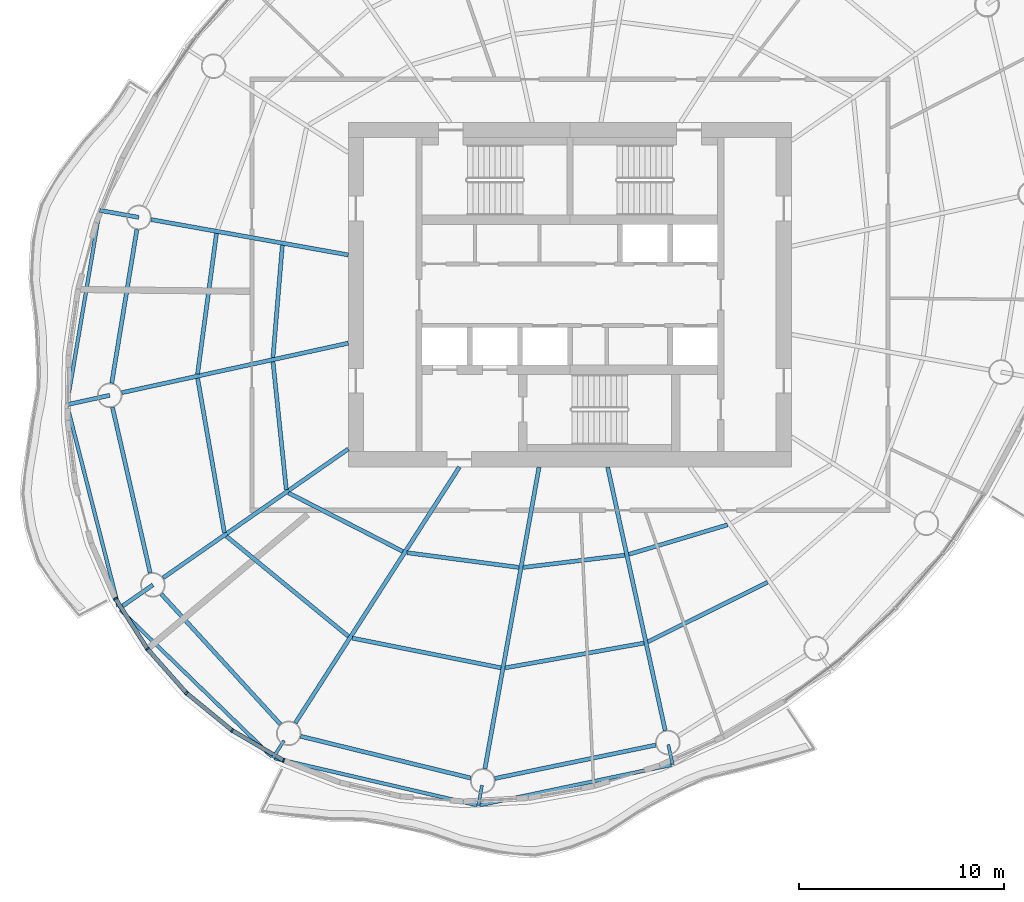
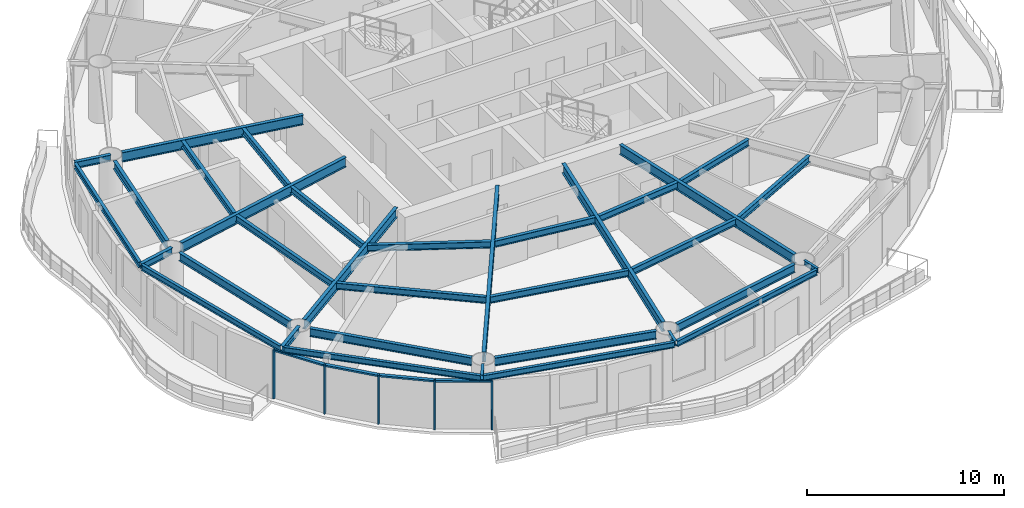
# One storey, part 2 of 14: 34 beams, 9 members, 4 elements without a shape of their own.
"""IFC4 building model written with IfcOpenShell, lengths in metres."""

from ifc_helpers import new_model, si_unit, direction, frame, origin, origin_2d, place, context, subcontext, project, spatial, rectangle, i_section, extrude, material, material_profile, profile_set, type_object, element, aggregate, save


model = new_model("IFC4")

# Units and contexts
model_context = context("Model", 3, precision=1e-05, world=origin(), true_north=direction((0.0, 1.0)))
body_context = subcontext(model_context, "Body", "Model", "MODEL_VIEW")
ifc_project = project(units=[si_unit("LENGTHUNIT", "METRE"), si_unit("AREAUNIT", "SQUARE_METRE"), si_unit("VOLUMEUNIT", "CUBIC_METRE"), si_unit("PLANEANGLEUNIT", "RADIAN"), si_unit("MASSUNIT", "GRAM", prefix="KILO")], contexts=[model_context])

# Site, building, storey
site_placement = place(None, origin())
site = spatial("IfcSite", under=ifc_project, at=site_placement, CompositionType="ELEMENT")
building_placement = place(site_placement, origin())
building = spatial("IfcBuilding", under=site, at=building_placement, Name="Vermilion Reach Broadcast Tower", CompositionType="ELEMENT")
storey_placement = place(building_placement, frame((0.0, 0.0, 217.300048828125)))
storey = spatial("IfcBuildingStorey", under=building, at=storey_placement, Name="L53", CompositionType="ELEMENT", Elevation=217.300048828125)

# Beams
ifc_material_1 = material(Name="Steel S355J2", Category="steel")
ifc_material_profile_1 = material_profile(ifc_material_1, i_section(OverallWidth=0.175048828125, OverallDepth=0.35009765625, WebThickness=0.007080078125, FlangeThickness=0.010986328125, at=origin_2d()), Name="S355J2 HN 350x175x7x11")
ifc_profile_set_1 = profile_set([ifc_material_profile_1], Name="Steel S355J2")
beam_type_1 = type_object("IfcBeamType", Name="EB4 HN 350x175x7x11", PredefinedType="BEAM", material=ifc_profile_set_1)
beam_1_placement = place(storey_placement, frame((-28.925048828125, 4.010986328125, 3.27490234375), z_axis=(-0.166485083639, -0.98604397312, 0.0), x_axis=(0.98604397312, -0.166485083639, 0.0)))
element("IfcBeam", 1, at=beam_1_placement, inside=storey, type_object=beam_type_1, Name="Edge beam EB4-06", PredefinedType="BEAM", context=body_context, shape_type="SweptSolid", body=[
    extrude(i_section(OverallWidth=0.175048828125, OverallDepth=0.35009765625, WebThickness=0.007080078125, FlangeThickness=0.010986328125, at=origin_2d()), origin(), (0.0, 0.0, 1.0), 9.392578125),
])
beam_2_placement = place(storey_placement, frame((-30.48193359375, -5.45361328125, 3.27490234375), z_axis=(0.247331773044, -0.968930851012, 0.0), x_axis=(0.968930851012, 0.247331773044, 0.0)))
element("IfcBeam", 2, at=beam_2_placement, inside=storey, type_object=beam_type_1, Name="Edge beam EB4-07", PredefinedType="BEAM", context=body_context, shape_type="SweptSolid", body=[
    extrude(i_section(OverallWidth=0.175048828125, OverallDepth=0.35009765625, WebThickness=0.007080078125, FlangeThickness=0.010986328125, at=origin_2d()), origin(), (0.0, 0.0, 1.0), 10.042724609375),
])
beam_3_placement = place(storey_placement, frame((-27.8984375, -15.358642578125, 3.27490234375), z_axis=(0.717860801863, -0.696186662576, 0.0), x_axis=(0.696186662576, 0.717860801863, 0.0)))
element("IfcBeam", 3, at=beam_3_placement, inside=storey, type_object=beam_type_1, Name="Edge beam EB4-08", PredefinedType="BEAM", context=body_context, shape_type="SweptSolid", body=[
    extrude(i_section(OverallWidth=0.175048828125, OverallDepth=0.35009765625, WebThickness=0.007080078125, FlangeThickness=0.010986328125, at=origin_2d()), origin(), (0.0, 0.0, 1.0), 10.27294921875),
])
beam_4_placement = place(storey_placement, frame((-20.391357421875, -22.581787109375, 3.27490234375), z_axis=(0.974106502606, -0.226089631743, 0.0), x_axis=(0.226089631743, 0.974106502606, 0.0)))
element("IfcBeam", 4, at=beam_4_placement, inside=storey, type_object=beam_type_1, Name="Edge beam EB4-09", PredefinedType="BEAM", context=body_context, shape_type="SweptSolid", body=[
    extrude(i_section(OverallWidth=0.175048828125, OverallDepth=0.35009765625, WebThickness=0.007080078125, FlangeThickness=0.010986328125, at=origin_2d()), origin(), (0.0, 0.0, 1.0), 10.115966796875),
])
beam_5_placement = place(storey_placement, frame((-10.385009765625, -24.869140625, 3.27490234375), z_axis=(0.978630795102, 0.205625307, 0.0), x_axis=(-0.205625307, 0.978630795102, 0.0)))
element("IfcBeam", 5, at=beam_5_placement, inside=storey, type_object=beam_type_1, Name="Edge beam EB4-10", PredefinedType="BEAM", context=body_context, shape_type="SweptSolid", body=[
    extrude(i_section(OverallWidth=0.175048828125, OverallDepth=0.35009765625, WebThickness=0.007080078125, FlangeThickness=0.010986328125, at=origin_2d()), origin(), (0.0, 0.0, 1.0), 9.519775390625),
])
ifc_material_2 = material(Name="Steel S355J2", Category="steel")
ifc_material_profile_2 = material_profile(ifc_material_2, i_section(OverallWidth=0.199951171875, OverallDepth=0.60009765625, WebThickness=0.010986328125, FlangeThickness=0.01708984375, at=origin_2d()), Name="S355J2 HN 600x200x11x17")
ifc_profile_set_2 = profile_set([ifc_material_profile_2], Name="Steel S355J2")
beam_type_2 = type_object("IfcBeamType", Name="G4 HN 600x200x11x17", PredefinedType="BEAM", material=ifc_profile_set_2)
beam_6_placement = place(storey_placement, frame((-16.800048828125, 1.9375, 3.14990234375), z_axis=(-0.984291153273, 0.176552897422, 0.0), x_axis=(-0.176552897422, -0.984291153273, 0.0)))
element("IfcBeam", 6, at=beam_6_placement, inside=storey, type_object=beam_type_2, Name="Girder G4-06", PredefinedType="BEAM", context=body_context, shape_type="SweptSolid", body=[
    extrude(i_section(OverallWidth=0.199951171875, OverallDepth=0.60009765625, WebThickness=0.010986328125, FlangeThickness=0.01708984375, at=origin_2d()), origin(), (0.0, 0.0, 1.0), 9.765380859375),
])
beam_7_placement = place(storey_placement, frame((-16.800048828125, -2.360595703125, 3.14990234375), z_axis=(-0.976930175286, -0.213558967537, 0.0), x_axis=(0.213558967537, -0.976930175286, 0.0)))
element("IfcBeam", 7, at=beam_7_placement, inside=storey, type_object=beam_type_2, Name="Girder G4-07", PredefinedType="BEAM", context=body_context, shape_type="SweptSolid", body=[
    extrude(i_section(OverallWidth=0.199951171875, OverallDepth=0.60009765625, WebThickness=0.010986328125, FlangeThickness=0.01708984375, at=origin_2d()), origin(), (0.0, 0.0, 1.0), 11.29833984375),
])
beam_8_placement = place(storey_placement, frame((-16.800048828125, -7.5146484375, 3.14990234375), z_axis=(-0.820848627818, -0.571145804684, 0.0), x_axis=(0.571145804684, -0.820848627818, 0.0)))
element("IfcBeam", 8, at=beam_8_placement, inside=storey, type_object=beam_type_2, Name="Girder G4-08", PredefinedType="BEAM", context=body_context, shape_type="SweptSolid", body=[
    extrude(i_section(OverallWidth=0.199951171875, OverallDepth=0.60009765625, WebThickness=0.010986328125, FlangeThickness=0.01708984375, at=origin_2d()), origin(), (0.0, 0.0, 1.0), 10.99560546875),
])
beam_9_placement = place(storey_placement, frame((-11.386474609375, -8.39990234375, 3.14990234375), z_axis=(-0.539796447586, -0.84179557802, 0.0), x_axis=(0.84179557802, -0.539796447586, 0.0)))
element("IfcBeam", 9, at=beam_9_placement, inside=storey, type_object=beam_type_2, Name="Girder G4-09", PredefinedType="BEAM", context=body_context, shape_type="SweptSolid", body=[
    extrude(i_section(OverallWidth=0.199951171875, OverallDepth=0.60009765625, WebThickness=0.010986328125, FlangeThickness=0.01708984375, at=origin_2d()), origin(), (0.0, 0.0, 1.0), 14.8076171875),
])
beam_10_placement = place(storey_placement, frame((-7.5068359375, -8.39990234375, 3.14990234375), z_axis=(-0.176574729047, -0.984287237072, 0.0), x_axis=(0.984287237072, -0.176574729047, 0.0)))
element("IfcBeam", 10, at=beam_10_placement, inside=storey, type_object=beam_type_2, Name="Girder G4-10", PredefinedType="BEAM", context=body_context, shape_type="SweptSolid", body=[
    extrude(i_section(OverallWidth=0.199951171875, OverallDepth=0.60009765625, WebThickness=0.010986328125, FlangeThickness=0.01708984375, at=origin_2d()), origin(), (0.0, 0.0, 1.0), 14.935302734375),
])
beam_11_placement = place(storey_placement, frame((-4.163818359375, -8.39990234375, 3.14990234375), z_axis=(0.213538346548, -0.976934682849, 0.0), x_axis=(0.976934682849, 0.213538346548, 0.0)))
element("IfcBeam", 11, at=beam_11_placement, inside=storey, type_object=beam_type_2, Name="Girder G4-11", PredefinedType="BEAM", context=body_context, shape_type="SweptSolid", body=[
    extrude(i_section(OverallWidth=0.199951171875, OverallDepth=0.60009765625, WebThickness=0.010986328125, FlangeThickness=0.01708984375, at=origin_2d()), origin(), (0.0, 0.0, 1.0), 13.135498046875),
])
ifc_material_3 = material(Name="Steel S355J2", Category="steel")
ifc_material_profile_3 = material_profile(ifc_material_3, i_section(OverallWidth=0.199951171875, OverallDepth=0.39990234375, WebThickness=0.008056640625, FlangeThickness=0.012939453125, at=origin_2d()), Name="S355J2 HN 400x200x8x13")
ifc_profile_set_3 = profile_set([ifc_material_profile_3], Name="Steel S355J2")
beam_type_3 = type_object("IfcBeamType", Name="GC4 HN 400x200x8x13", PredefinedType="BEAM", material=ifc_profile_set_3)
beam_12_placement = place(storey_placement, frame((-27.002685546875, 3.767578125, 3.25), z_axis=(-0.984272893528, 0.176654666133, 0.0), x_axis=(-0.176654666133, -0.984272893528, 0.0)))
element("IfcBeam", 12, at=beam_12_placement, inside=storey, type_object=beam_type_3, Name="Cantilever girder GC4-06", PredefinedType="BEAM", context=body_context, shape_type="SweptSolid", body=[
    extrude(i_section(OverallWidth=0.199951171875, OverallDepth=0.39990234375, WebThickness=0.008056640625, FlangeThickness=0.012939453125, at=origin_2d()), origin(), (0.0, 0.0, 1.0), 1.936279296875),
])
beam_13_placement = place(storey_placement, frame((-28.423828125, -4.9013671875, 3.25), z_axis=(-0.976927650781, -0.213570515614, 0.0), x_axis=(0.213570515614, -0.976927650781, 0.0)))
element("IfcBeam", 13, at=beam_13_placement, inside=storey, type_object=beam_type_3, Name="Cantilever girder GC4-07", PredefinedType="BEAM", context=body_context, shape_type="SweptSolid", body=[
    extrude(i_section(OverallWidth=0.199951171875, OverallDepth=0.39990234375, WebThickness=0.008056640625, FlangeThickness=0.012939453125, at=origin_2d()), origin(), (0.0, 0.0, 1.0), 2.1318359375),
])
beam_14_placement = place(storey_placement, frame((-26.318115234375, -14.13720703125, 3.25), z_axis=(-0.820885438798, -0.571092896444, 0.0), x_axis=(0.571092896444, -0.820885438798, 0.0)))
element("IfcBeam", 14, at=beam_14_placement, inside=storey, type_object=beam_type_3, Name="Cantilever girder GC4-08", PredefinedType="BEAM", context=body_context, shape_type="SweptSolid", body=[
    extrude(i_section(OverallWidth=0.199951171875, OverallDepth=0.39990234375, WebThickness=0.008056640625, FlangeThickness=0.012939453125, at=origin_2d()), origin(), (0.0, 0.0, 1.0), 2.014404296875),
])
ifc_material_4 = material(Name="Steel S355J2", Category="steel")
ifc_material_profile_4 = material_profile(ifc_material_4, i_section(OverallWidth=0.14990234375, OverallDepth=0.300048828125, WebThickness=0.006591796875, FlangeThickness=0.009033203125, at=origin_2d()), Name="S355J2 HN 300x150x6.5x9")
ifc_profile_set_4 = profile_set([ifc_material_profile_4], Name="Steel S355J2")
beam_type_4 = type_object("IfcBeamType", Name="GS4 HN 300x150x6.5x9", PredefinedType="BEAM", material=ifc_profile_set_4)
beam_15_placement = place(storey_placement, frame((-19.92919921875, -21.721923828125, 3.300048828125), z_axis=(-0.539794777091, -0.841796649213, 0.0), x_axis=(0.841796649213, -0.539794777091, 0.0)))
element("IfcBeam", 15, at=beam_15_placement, inside=storey, type_object=beam_type_4, Name="Cantilever stub GS4-09", PredefinedType="BEAM", context=body_context, shape_type="SweptSolid", body=[
    extrude(i_section(OverallWidth=0.14990234375, OverallDepth=0.300048828125, WebThickness=0.006591796875, FlangeThickness=0.009033203125, at=origin_2d()), origin(), (0.0, 0.0, 1.0), 1.0),
])
beam_16_placement = place(storey_placement, frame((-10.28759765625, -23.901611328125, 3.300048828125), z_axis=(-0.176542748677, -0.984292973606, 0.0), x_axis=(0.984292973606, -0.176542748677, 0.0)))
element("IfcBeam", 16, at=beam_16_placement, inside=storey, type_object=beam_type_4, Name="Cantilever stub GS4-10", PredefinedType="BEAM", context=body_context, shape_type="SweptSolid", body=[
    extrude(i_section(OverallWidth=0.14990234375, OverallDepth=0.300048828125, WebThickness=0.006591796875, FlangeThickness=0.009033203125, at=origin_2d()), origin(), (0.0, 0.0, 1.0), 0.999755859375),
])
beam_17_placement = place(storey_placement, frame((-1.208740234375, -21.91943359375, 3.300048828125), z_axis=(0.213645906146, -0.976911166272, 0.0), x_axis=(0.976911166272, 0.213645906146, 0.0)))
element("IfcBeam", 17, at=beam_17_placement, inside=storey, type_object=beam_type_4, Name="Cantilever stub GS4-11", PredefinedType="BEAM", context=body_context, shape_type="SweptSolid", body=[
    extrude(i_section(OverallWidth=0.14990234375, OverallDepth=0.300048828125, WebThickness=0.006591796875, FlangeThickness=0.009033203125, at=origin_2d()), origin(), (0.0, 0.0, 1.0), 1.0),
])
ifc_material_5 = material(Name="Steel S355J2", Category="steel")
ifc_material_profile_5 = material_profile(ifc_material_5, i_section(OverallWidth=0.199951171875, OverallDepth=0.5, WebThickness=0.010009765625, FlangeThickness=0.01611328125, at=origin_2d()), Name="S355J2 HN 500x200x10x16")
ifc_profile_set_5 = profile_set([ifc_material_profile_5], Name="Steel S355J2")
beam_type_5 = type_object("IfcBeamType", Name="RB4 HN 500x200x10x16", PredefinedType="BEAM", material=ifc_profile_set_5)
beam_18_placement = place(storey_placement, frame((-27.099609375, 3.175537109375, 3.199951171875), z_axis=(-0.161778110263, -0.986827159659, 0.0), x_axis=(0.986827159659, -0.161778110263, 0.0)))
element("IfcBeam", 18, at=beam_18_placement, inside=storey, type_object=beam_type_5, Name="Ring beam RB4-06", PredefinedType="BEAM", context=body_context, shape_type="SweptSolid", body=[
    extrude(i_section(OverallWidth=0.199951171875, OverallDepth=0.5, WebThickness=0.010009765625, FlangeThickness=0.01611328125, at=origin_2d()), origin(), (0.0, 0.0, 1.0), 7.584716796875),
])
beam_19_placement = place(storey_placement, frame((-28.290283203125, -5.486572265625, 3.199951171875), z_axis=(0.222283068275, -0.974982172944, 0.0), x_axis=(0.974982172944, 0.222283068275, 0.0)))
element("IfcBeam", 19, at=beam_19_placement, inside=storey, type_object=beam_type_5, Name="Ring beam RB4-07", PredefinedType="BEAM", context=body_context, shape_type="SweptSolid", body=[
    extrude(i_section(OverallWidth=0.199951171875, OverallDepth=0.5, WebThickness=0.010009765625, FlangeThickness=0.01611328125, at=origin_2d()), origin(), (0.0, 0.0, 1.0), 8.272705078125),
])
beam_20_placement = place(storey_placement, frame((-25.9130859375, -14.580078125, 3.199951171875), z_axis=(0.674868141417, -0.737938338684, 0.0), x_axis=(0.737938338684, 0.674868141417, 0.0)))
element("IfcBeam", 20, at=beam_20_placement, inside=storey, type_object=beam_type_5, Name="Ring beam RB4-08", PredefinedType="BEAM", context=body_context, shape_type="SweptSolid", body=[
    extrude(i_section(OverallWidth=0.199951171875, OverallDepth=0.5, WebThickness=0.010009765625, FlangeThickness=0.01611328125, at=origin_2d()), origin(), (0.0, 0.0, 1.0), 8.601318359375),
])
beam_21_placement = place(storey_placement, frame((-19.120849609375, -21.51318359375, 3.199951171875), z_axis=(0.971158622271, -0.238434331398, 0.0), x_axis=(0.238434331398, 0.971158622271, 0.0)))
element("IfcBeam", 21, at=beam_21_placement, inside=storey, type_object=beam_type_5, Name="Ring beam RB4-09", PredefinedType="BEAM", context=body_context, shape_type="SweptSolid", body=[
    extrude(i_section(OverallWidth=0.199951171875, OverallDepth=0.5, WebThickness=0.010009765625, FlangeThickness=0.01611328125, at=origin_2d()), origin(), (0.0, 0.0, 1.0), 8.534423828125),
])
beam_22_placement = place(storey_placement, frame((-9.662353515625, -23.569091796875, 3.199951171875), z_axis=(0.97912342484, 0.203266620302, 0.0), x_axis=(-0.203266620302, 0.97912342484, 0.0)))
element("IfcBeam", 22, at=beam_22_placement, inside=storey, type_object=beam_type_5, Name="Ring beam RB4-10", PredefinedType="BEAM", context=body_context, shape_type="SweptSolid", body=[
    extrude(i_section(OverallWidth=0.199951171875, OverallDepth=0.5, WebThickness=0.010009765625, FlangeThickness=0.01611328125, at=origin_2d()), origin(), (0.0, 0.0, 1.0), 8.01123046875),
])
ifc_material_6 = material(Name="Steel S355J2", Category="steel")
ifc_material_profile_6 = material_profile(ifc_material_6, i_section(OverallWidth=0.199951171875, OverallDepth=0.39990234375, WebThickness=0.008056640625, FlangeThickness=0.012939453125, at=origin_2d()), Name="S355J2 HN 400x200x8x13")
ifc_profile_set_6 = profile_set([ifc_material_profile_6], Name="Steel S355J2")
beam_type_6 = type_object("IfcBeamType", Name="SB4 HN 400x200x8x13", PredefinedType="BEAM", material=ifc_profile_set_6)
beam_23_placement = place(storey_placement, frame((-20.012451171875, 2.412109375, 3.25), z_axis=(-0.08339866655, -0.996516262997, 0.0), x_axis=(0.996516262997, -0.08339866655, 0.0)))
element("IfcBeam", 23, at=beam_23_placement, inside=storey, type_object=beam_type_6, Name="Secondary beam SB4-06-1", PredefinedType="BEAM", context=body_context, shape_type="SweptSolid", body=[
    extrude(i_section(OverallWidth=0.199951171875, OverallDepth=0.39990234375, WebThickness=0.008056640625, FlangeThickness=0.012939453125, at=origin_2d()), origin(), (0.0, 0.0, 1.0), 5.49169921875),
])
beam_24_placement = place(storey_placement, frame((-23.221435546875, 2.98779296875, 3.25), z_axis=(-0.133486718782, -0.991050602093, 0.0), x_axis=(0.991050602093, -0.133486718782, 0.0)))
element("IfcBeam", 24, at=beam_24_placement, inside=storey, type_object=beam_type_6, Name="Secondary beam SB4-06-2", PredefinedType="BEAM", context=body_context, shape_type="SweptSolid", body=[
    extrude(i_section(OverallWidth=0.199951171875, OverallDepth=0.39990234375, WebThickness=0.008056640625, FlangeThickness=0.012939453125, at=origin_2d()), origin(), (0.0, 0.0, 1.0), 6.913330078125),
])
beam_25_placement = place(storey_placement, frame((-20.46875, -3.264892578125, 3.25), z_axis=(0.103532173355, -0.994626105167, 0.0), x_axis=(0.994626105167, 0.103532173355, 0.0)))
element("IfcBeam", 25, at=beam_25_placement, inside=storey, type_object=beam_type_6, Name="Secondary beam SB4-07-1", PredefinedType="BEAM", context=body_context, shape_type="SweptSolid", body=[
    extrude(i_section(OverallWidth=0.199951171875, OverallDepth=0.39990234375, WebThickness=0.008056640625, FlangeThickness=0.012939453125, at=origin_2d()), origin(), (0.0, 0.0, 1.0), 6.26318359375),
])
beam_26_placement = place(storey_placement, frame((-24.141357421875, -4.067626953125, 3.25), z_axis=(0.170926997669, -0.985283695931, 0.0), x_axis=(0.985283695931, 0.170926997669, 0.0)))
element("IfcBeam", 26, at=beam_26_placement, inside=storey, type_object=beam_type_6, Name="Secondary beam SB4-07-2", PredefinedType="BEAM", context=body_context, shape_type="SweptSolid", body=[
    extrude(i_section(OverallWidth=0.199951171875, OverallDepth=0.39990234375, WebThickness=0.008056640625, FlangeThickness=0.012939453125, at=origin_2d()), origin(), (0.0, 0.0, 1.0), 7.63720703125),
])
beam_27_placement = place(storey_placement, frame((-19.707763671875, -9.659423828125, 3.25), z_axis=(0.89015575218, -0.455656380249, 0.0), x_axis=(0.455656380249, 0.89015575218, 0.0)))
element("IfcBeam", 27, at=beam_27_placement, inside=storey, type_object=beam_type_6, Name="Secondary beam SB4-08-1", PredefinedType="BEAM", context=body_context, shape_type="SweptSolid", body=[
    extrude(i_section(OverallWidth=0.199951171875, OverallDepth=0.39990234375, WebThickness=0.008056640625, FlangeThickness=0.012939453125, at=origin_2d()), origin(), (0.0, 0.0, 1.0), 6.25439453125),
])
beam_28_placement = place(storey_placement, frame((-22.73681640625, -11.76708984375, 3.25), z_axis=(0.772952000494, -0.6344645025, 0.0), x_axis=(0.6344645025, 0.772952000494, 0.0)))
element("IfcBeam", 28, at=beam_28_placement, inside=storey, type_object=beam_type_6, Name="Secondary beam SB4-08-2", PredefinedType="BEAM", context=body_context, shape_type="SweptSolid", body=[
    extrude(i_section(OverallWidth=0.199951171875, OverallDepth=0.39990234375, WebThickness=0.008056640625, FlangeThickness=0.012939453125, at=origin_2d()), origin(), (0.0, 0.0, 1.0), 7.689697265625),
])
beam_29_placement = place(storey_placement, frame((-13.94140625, -12.5693359375, 3.25), z_axis=(0.991458070019, -0.130425823341, 0.0), x_axis=(0.130425823341, 0.991458070019, 0.0)))
element("IfcBeam", 29, at=beam_29_placement, inside=storey, type_object=beam_type_6, Name="Secondary beam SB4-09-1", PredefinedType="BEAM", context=body_context, shape_type="SweptSolid", body=[
    extrude(i_section(OverallWidth=0.199951171875, OverallDepth=0.39990234375, WebThickness=0.008056640625, FlangeThickness=0.012939453125, at=origin_2d()), origin(), (0.0, 0.0, 1.0), 5.50341796875),
])
beam_30_placement = place(storey_placement, frame((-16.60986328125, -16.73095703125, 3.25), z_axis=(0.9805717807, -0.196160604851, 0.0), x_axis=(0.196160604851, 0.9805717807, 0.0)))
element("IfcBeam", 30, at=beam_30_placement, inside=storey, type_object=beam_type_6, Name="Secondary beam SB4-09-2", PredefinedType="BEAM", context=body_context, shape_type="SweptSolid", body=[
    extrude(i_section(OverallWidth=0.199951171875, OverallDepth=0.39990234375, WebThickness=0.008056640625, FlangeThickness=0.012939453125, at=origin_2d()), origin(), (0.0, 0.0, 1.0), 7.390380859375),
])
beam_31_placement = place(storey_placement, frame((-8.281982421875, -13.28759765625, 3.25), z_axis=(0.99278788328, 0.119884189168, 0.0), x_axis=(-0.119884189168, 0.99278788328, 0.0)))
element("IfcBeam", 31, at=beam_31_placement, inside=storey, type_object=beam_type_6, Name="Secondary beam SB4-10-1", PredefinedType="BEAM", context=body_context, shape_type="SweptSolid", body=[
    extrude(i_section(OverallWidth=0.199951171875, OverallDepth=0.39990234375, WebThickness=0.008056640625, FlangeThickness=0.012939453125, at=origin_2d()), origin(), (0.0, 0.0, 1.0), 4.9892578125),
])
beam_32_placement = place(storey_placement, frame((-9.159912109375, -18.181640625, 3.25), z_axis=(0.984415281892, 0.175859468829, 0.0), x_axis=(-0.175859468829, 0.984415281892, 0.0)))
element("IfcBeam", 32, at=beam_32_placement, inside=storey, type_object=beam_type_6, Name="Secondary beam SB4-10-2", PredefinedType="BEAM", context=body_context, shape_type="SweptSolid", body=[
    extrude(i_section(OverallWidth=0.199951171875, OverallDepth=0.39990234375, WebThickness=0.008056640625, FlangeThickness=0.012939453125, at=origin_2d()), origin(), (0.0, 0.0, 1.0), 6.874755859375),
])
beam_33_placement = place(storey_placement, frame((-3.1328125, -12.64892578125, 3.25), z_axis=(0.958173460215, 0.28618808525, 0.0), x_axis=(-0.28618808525, 0.958173460215, 0.0)))
element("IfcBeam", 33, at=beam_33_placement, inside=storey, type_object=beam_type_6, Name="Secondary beam SB4-11-1", PredefinedType="BEAM", context=body_context, shape_type="SweptSolid", body=[
    extrude(i_section(OverallWidth=0.199951171875, OverallDepth=0.39990234375, WebThickness=0.008056640625, FlangeThickness=0.012939453125, at=origin_2d()), origin(), (0.0, 0.0, 1.0), 5.02197265625),
])
beam_34_placement = place(storey_placement, frame((-2.20166015625, -16.908935546875, 3.25), z_axis=(0.895183615542, 0.445697536974, 0.0), x_axis=(-0.445697536974, 0.895183615542, 0.0)))
element("IfcBeam", 34, at=beam_34_placement, inside=storey, type_object=beam_type_6, Name="Secondary beam SB4-11-2", PredefinedType="BEAM", context=body_context, shape_type="SweptSolid", body=[
    extrude(i_section(OverallWidth=0.199951171875, OverallDepth=0.39990234375, WebThickness=0.008056640625, FlangeThickness=0.012939453125, at=origin_2d()), origin(), (0.0, 0.0, 1.0), 6.508544921875),
])

# Curtain wall, member
ifc_material_7 = material(Name="Low-e laminated clear glass in aluminium frame", Category="aluminium")
curtain_wall_type = type_object("IfcCurtainWallType", Name="Slot curtain wall", PredefinedType="NOTDEFINED", material=ifc_material_7)
placement = place(storey_placement, origin())
curtain_wall_1 = element("IfcCurtainWall", 35, at=placement, inside=storey, type_object=curtain_wall_type, Name="Slot curtain wall L53 22", PredefinedType="NOTDEFINED")
ifc_material_8 = material(Name="Anodised aluminium", Category="aluminium")
ifc_material_profile_7 = material_profile(ifc_material_8, rectangle(XDim=0.199951171875, YDim=0.080078125, at=origin_2d()), Name="Slot mullion 80 x 200")
ifc_profile_set_7 = profile_set([ifc_material_profile_7], Name="Anodised aluminium")
member_type_1 = type_object("IfcMemberType", Name="Slot mullion 80 x 200", PredefinedType="MULLION", material=ifc_profile_set_7)
member_1_placement = place(storey_placement, frame((-28.145751953125, -14.80322265625, 0.0), z_axis=(0.0, 0.0, 1.0), x_axis=(0.88289398757, 0.469572365789, 0.0)))
member_1 = element("IfcMember", 36, at=member_1_placement, type_object=member_type_1, Name="Slot mullion L53 22", PredefinedType="MULLION", context=body_context, shape_type="SweptSolid", body=[
    extrude(rectangle(XDim=0.199951171875, YDim=0.080078125, at=origin_2d()), origin(), (0.0, 0.0, 1.0), 3.050048828125),
])

curtain_wall_2 = element("IfcCurtainWall", 37, at=placement, inside=storey, type_object=curtain_wall_type, Name="Slot curtain wall L53 23", PredefinedType="NOTDEFINED")
member_2_placement = place(storey_placement, frame((-26.590576171875, -17.25048828125, 0.0), z_axis=(0.0, 0.0, 1.0), x_axis=(0.798938854173, 0.601412260677, 0.0)))
member_2 = element("IfcMember", 38, at=member_2_placement, type_object=member_type_1, Name="Slot mullion L53 23", PredefinedType="MULLION", context=body_context, shape_type="SweptSolid", body=[
    extrude(rectangle(XDim=0.199951171875, YDim=0.080078125, at=origin_2d()), origin(), (0.0, 0.0, 1.0), 3.050048828125),
])

curtain_wall_3 = element("IfcCurtainWall", 39, at=placement, inside=storey, type_object=curtain_wall_type, Name="Slot curtain wall L53 24", PredefinedType="NOTDEFINED")
member_3_placement = place(storey_placement, frame((-24.685302734375, -19.4033203125, 0.0), z_axis=(0.0, 0.0, 1.0), x_axis=(0.693653282278, 0.720309047551, 0.0)))
member_3 = element("IfcMember", 40, at=member_3_placement, type_object=member_type_1, Name="Slot mullion L53 24", PredefinedType="MULLION", context=body_context, shape_type="SweptSolid", body=[
    extrude(rectangle(XDim=0.199951171875, YDim=0.080078125, at=origin_2d()), origin(), (0.0, 0.0, 1.0), 3.050048828125),
])

# Curtain wall, members
curtain_wall_4 = element("IfcCurtainWall", 41, at=placement, inside=storey, type_object=curtain_wall_type, Name="Slot curtain wall L53 25", PredefinedType="NOTDEFINED")
member_4_placement = place(storey_placement, frame((-22.462158203125, -21.22607421875, 0.0), z_axis=(0.0, 0.0, 1.0), x_axis=(0.570872781732, 0.821038529594, 0.0)))
member_4 = element("IfcMember", 42, at=member_4_placement, type_object=member_type_1, Name="Slot mullion L53 25", PredefinedType="MULLION", context=body_context, shape_type="SweptSolid", body=[
    extrude(rectangle(XDim=0.199951171875, YDim=0.080078125, at=origin_2d()), origin(), (0.0, 0.0, 1.0), 3.050048828125),
])
member_5_placement = place(storey_placement, frame((-19.9580078125, -22.68798828125, 0.0), z_axis=(0.0, 0.0, 1.0), x_axis=(0.43596236059, 0.899964899398, 0.0)))
member_5 = element("IfcMember", 43, at=member_5_placement, type_object=member_type_1, Name="Slot mullion L53 26", PredefinedType="MULLION", context=body_context, shape_type="SweptSolid", body=[
    extrude(rectangle(XDim=0.199951171875, YDim=0.080078125, at=origin_2d()), origin(), (0.0, 0.0, 1.0), 3.050048828125),
])

# Member
ifc_material_9 = material(Name="Anodised aluminium", Category="aluminium")
ifc_material_profile_8 = material_profile(ifc_material_9, rectangle(XDim=0.199951171875, YDim=0.10009765625, at=origin_2d()), Name="Slot transom 200 x 100")
ifc_profile_set_8 = profile_set([ifc_material_profile_8], Name="Anodised aluminium")
member_type_2 = type_object("IfcMemberType", Name="Slot transom 200 x 100", PredefinedType="USERDEFINED", material=ifc_profile_set_8)
member_6_placement = place(storey_placement, frame((-28.124267578125, -14.8369140625, 3.0), z_axis=(0.536303911844, -0.844024948767, 0.0), x_axis=(0.844024948767, 0.536303911844, 0.0)))
member_6 = element("IfcMember", 44, at=member_6_placement, type_object=member_type_2, Name="Slot transom L53 22.1", ObjectType="TRANSOM", PredefinedType="USERDEFINED", context=body_context, shape_type="SweptSolid", body=[
    extrude(rectangle(XDim=0.199951171875, YDim=0.10009765625, at=origin_2d()), origin(), (0.0, 0.0, 1.0), 2.819580078125),
])

aggregate(curtain_wall_1, [member_1, member_6])

member_7_placement = place(storey_placement, frame((-26.564208984375, -17.280517578125, 3.0), z_axis=(0.662730301747, -0.748858162235, 0.0), x_axis=(0.748858162235, 0.662730301747, 0.0)))
member_7 = element("IfcMember", 45, at=member_7_placement, type_object=member_type_2, Name="Slot transom L53 23.1", ObjectType="TRANSOM", PredefinedType="USERDEFINED", context=body_context, shape_type="SweptSolid", body=[
    extrude(rectangle(XDim=0.199951171875, YDim=0.10009765625, at=origin_2d()), origin(), (0.0, 0.0, 1.0), 2.794921875),
])

aggregate(curtain_wall_2, [member_2, member_7])

member_8_placement = place(storey_placement, frame((-24.654541015625, -19.4287109375, 3.0), z_axis=(0.773330318564, -0.634003326797, 0.0), x_axis=(0.634003326797, 0.773330318564, 0.0)))
member_8 = element("IfcMember", 46, at=member_8_placement, type_object=member_type_2, Name="Slot transom L53 24.1", ObjectType="TRANSOM", PredefinedType="USERDEFINED", context=body_context, shape_type="SweptSolid", body=[
    extrude(rectangle(XDim=0.199951171875, YDim=0.10009765625, at=origin_2d()), origin(), (0.0, 0.0, 1.0), 2.794921875),
])

aggregate(curtain_wall_3, [member_3, member_8])

member_9_placement = place(storey_placement, frame((-22.427734375, -21.246337890625, 3.0), z_axis=(0.863596702364, -0.504183236201, 0.0), x_axis=(0.504183236201, 0.863596702364, 0.0)))
member_9 = element("IfcMember", 47, at=member_9_placement, type_object=member_type_2, Name="Slot transom L53 25.1", ObjectType="TRANSOM", PredefinedType="USERDEFINED", context=body_context, shape_type="SweptSolid", body=[
    extrude(rectangle(XDim=0.199951171875, YDim=0.10009765625, at=origin_2d()), origin(), (0.0, 0.0, 1.0), 2.819580078125),
])

aggregate(curtain_wall_4, [member_4, member_5, member_9])

save(model, "model.ifc")
